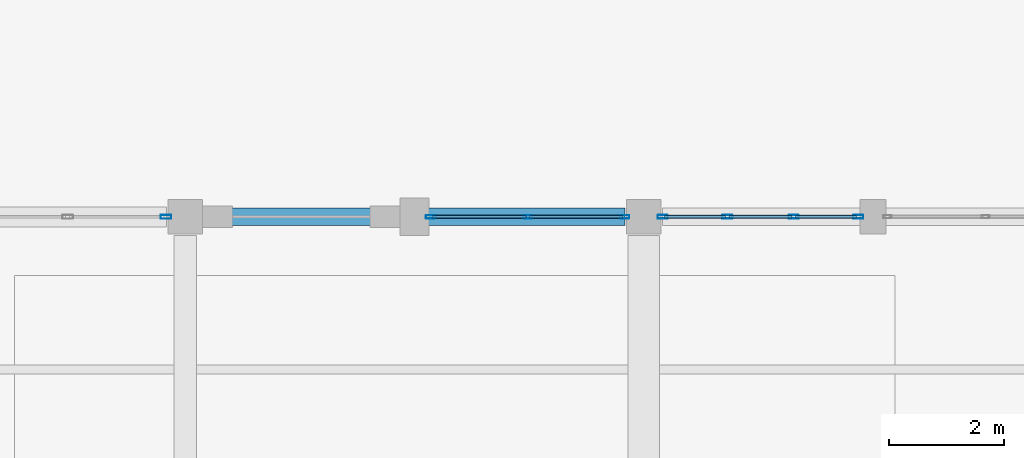
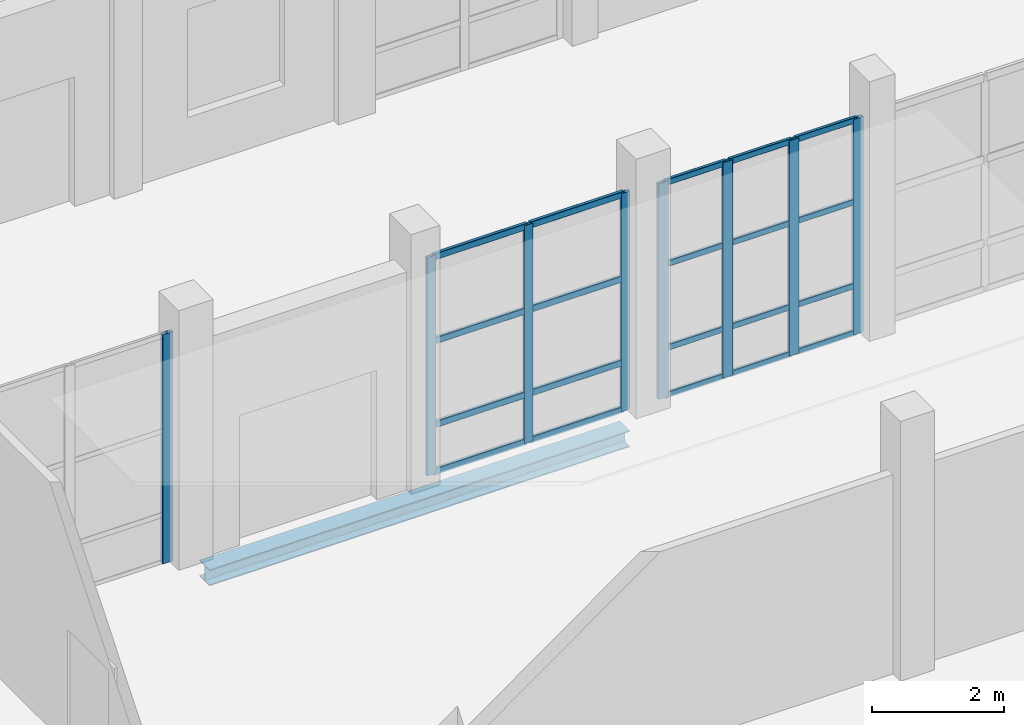
# One storey, part 67 of 156: 28 members, 1 beam, 3 elements without a shape of their own.
"""IFC4 building model written with IfcOpenShell, lengths in metres."""

from ifc_helpers import new_model, si_unit, direction, frame, origin, origin_2d, place, context, subcontext, project, spatial, hollow_rectangle, i_section, extrude, material, material_profile, profile_set, type_object, element, aggregate, save


model = new_model("IFC4")

# Units and contexts
model_context = context("Model", 3, precision=1e-05, world=origin(), true_north=direction((0.0, 1.0)))
body_context = subcontext(model_context, "Body", "Model", "MODEL_VIEW")
ifc_project = project(units=[si_unit("LENGTHUNIT", "METRE"), si_unit("AREAUNIT", "SQUARE_METRE"), si_unit("VOLUMEUNIT", "CUBIC_METRE"), si_unit("PLANEANGLEUNIT", "RADIAN"), si_unit("MASSUNIT", "GRAM", prefix="KILO")], contexts=[model_context])

# Site, building, storey
site_placement = place(None, origin())
site = spatial("IfcSite", under=ifc_project, at=site_placement, CompositionType="ELEMENT")
building_placement = place(site_placement, origin())
building = spatial("IfcBuilding", under=site, at=building_placement, Name="Luwemba Playhouse", CompositionType="ELEMENT")
storey_placement = place(building_placement, origin())
storey = spatial("IfcBuildingStorey", under=building, at=storey_placement, Name="L00", CompositionType="ELEMENT", Elevation=0.0)

# Beam
ifc_material_1 = material(Name="Steel S355", Category="steel")
ifc_material_profile_1 = material_profile(ifc_material_1, i_section(OverallWidth=0.300048828125, OverallDepth=0.300048828125, WebThickness=0.010986328125, FlangeThickness=0.01904296875, FilletRadius=0.027099609375, at=origin_2d()))
ifc_profile_set_1 = profile_set([ifc_material_profile_1], Name="Steel S355")
beam_type = type_object("IfcBeamType", Name="BM-SSP1", PredefinedType="SPANDREL", material=ifc_profile_set_1)
beam_placement = place(storey_placement, frame((148.324951171875, 27.0, -0.449951171875), z_axis=(1.0, 0.0, 0.0), x_axis=(0.0, 1.0, 0.0)))
element("IfcBeam", 1, at=beam_placement, inside=storey, type_object=beam_type, Name="L00 grid girder 0227", PredefinedType="SPANDREL", context=body_context, shape_type="SweptSolid", body=[
    extrude(i_section(OverallWidth=0.300048828125, OverallDepth=0.300048828125, WebThickness=0.010986328125, FlangeThickness=0.01904296875, FilletRadius=0.027099609375, at=origin_2d()), origin(), (0.0, 0.0, 1.0), 7.35009765625),
])

# Curtain wall, members
ifc_material_2 = material(Name="Solar-control double glazing", Category="glass")
curtain_wall_type_1 = type_object("IfcCurtainWallType", Name="CW-CW54", PredefinedType="USERDEFINED", material=ifc_material_2)
curtain_wall_1_placement = place(storey_placement, origin())
curtain_wall_1 = element("IfcCurtainWall", 2, at=curtain_wall_1_placement, inside=storey, type_object=curtain_wall_type_1, Name="L00 V5E unitised curtain wall 063", ObjectType="UNITISED GLAZING", PredefinedType="USERDEFINED")
ifc_material_3 = material(Name="Aluminium 6063-T6", Category="aluminium")
ifc_material_profile_2 = material_profile(ifc_material_3, hollow_rectangle(XDim=0.06005859375, YDim=0.159912109375, WallThickness=0.00390625, InnerFilletRadius=0.006103515625, OuterFilletRadius=0.010009765625, at=origin_2d()))
ifc_profile_set_2 = profile_set([ifc_material_profile_2], Name="Aluminium 6063-T6")
member_type_1 = type_object("IfcMemberType", Name="CWM-M1", PredefinedType="MULLION", material=ifc_profile_set_2)
member_1_placement = place(storey_placement, frame((152.280029296875, 27.0, 0.0), z_axis=(0.0, 0.0, 1.0), x_axis=(0.0, 1.0, 0.0)))
member_1 = element("IfcMember", 3, at=member_1_placement, type_object=member_type_1, Name="CW54 mullion 1", PredefinedType="MULLION", context=body_context, shape_type="SweptSolid", body=[
    extrude(hollow_rectangle(XDim=0.06005859375, YDim=0.159912109375, WallThickness=0.00390625, InnerFilletRadius=0.006103515625, OuterFilletRadius=0.010009765625, at=origin_2d()), origin(), (0.0, 0.0, 1.0), 4.034912109375),
])
member_2_placement = place(storey_placement, frame((153.97509765625, 27.0, 0.0), z_axis=(0.0, 0.0, 1.0), x_axis=(0.0, 1.0, 0.0)))
member_2 = element("IfcMember", 4, at=member_2_placement, type_object=member_type_1, Name="CW54 mullion 2", PredefinedType="MULLION", context=body_context, shape_type="SweptSolid", body=[
    extrude(hollow_rectangle(XDim=0.06005859375, YDim=0.159912109375, WallThickness=0.00390625, InnerFilletRadius=0.006103515625, OuterFilletRadius=0.010009765625, at=origin_2d()), origin(), (0.0, 0.0, 1.0), 4.034912109375),
])
member_3_placement = place(storey_placement, frame((155.669921875, 27.0, 0.0), z_axis=(0.0, 0.0, 1.0), x_axis=(0.0, 1.0, 0.0)))
member_3 = element("IfcMember", 5, at=member_3_placement, type_object=member_type_1, Name="CW54 mullion 3", PredefinedType="MULLION", context=body_context, shape_type="SweptSolid", body=[
    extrude(hollow_rectangle(XDim=0.06005859375, YDim=0.159912109375, WallThickness=0.00390625, InnerFilletRadius=0.006103515625, OuterFilletRadius=0.010009765625, at=origin_2d()), origin(), (0.0, 0.0, 1.0), 4.034912109375),
])

curtain_wall_type_2 = type_object("IfcCurtainWallType", Name="CW-CW16", PredefinedType="USERDEFINED", material=ifc_material_2)
curtain_wall_2_placement = place(storey_placement, origin())
curtain_wall_2 = element("IfcCurtainWall", 6, at=curtain_wall_2_placement, inside=storey, type_object=curtain_wall_type_2, Name="L00 V5E unitised curtain wall 064", ObjectType="UNITISED GLAZING", PredefinedType="USERDEFINED")
ifc_material_profile_3 = material_profile(ifc_material_3, hollow_rectangle(XDim=0.06494140625, YDim=0.179931640625, WallThickness=0.00439453125, InnerFilletRadius=0.0068359375, OuterFilletRadius=0.01123046875, at=origin_2d()))
ifc_profile_set_3 = profile_set([ifc_material_profile_3], Name="Aluminium 6063-T6")
member_type_2 = type_object("IfcMemberType", Name="CWM-M2", PredefinedType="MULLION", material=ifc_profile_set_3)
member_4_placement = place(storey_placement, frame((156.33251953125, 27.0, 0.0), z_axis=(0.0, 0.0, 1.0), x_axis=(0.0, 1.0, 0.0)))
member_4 = element("IfcMember", 7, at=member_4_placement, type_object=member_type_2, Name="CW16 mullion 1", PredefinedType="MULLION", context=body_context, shape_type="SweptSolid", body=[
    extrude(hollow_rectangle(XDim=0.06494140625, YDim=0.179931640625, WallThickness=0.00439453125, InnerFilletRadius=0.0068359375, OuterFilletRadius=0.01123046875, at=origin_2d()), origin(), (0.0, 0.0, 1.0), 3.985107421875),
])
member_5_placement = place(storey_placement, frame((157.458251953125, 27.0, 0.0), z_axis=(0.0, 0.0, 1.0), x_axis=(0.0, 1.0, 0.0)))
member_5 = element("IfcMember", 8, at=member_5_placement, type_object=member_type_2, Name="CW16 mullion 2", PredefinedType="MULLION", context=body_context, shape_type="SweptSolid", body=[
    extrude(hollow_rectangle(XDim=0.06494140625, YDim=0.179931640625, WallThickness=0.00439453125, InnerFilletRadius=0.0068359375, OuterFilletRadius=0.01123046875, at=origin_2d()), origin(), (0.0, 0.0, 1.0), 3.985107421875),
])
member_6_placement = place(storey_placement, frame((158.61669921875, 27.0, 0.0), z_axis=(0.0, 0.0, 1.0), x_axis=(0.0, 1.0, 0.0)))
member_6 = element("IfcMember", 9, at=member_6_placement, type_object=member_type_2, Name="CW16 mullion 3", PredefinedType="MULLION", context=body_context, shape_type="SweptSolid", body=[
    extrude(hollow_rectangle(XDim=0.06494140625, YDim=0.179931640625, WallThickness=0.00439453125, InnerFilletRadius=0.0068359375, OuterFilletRadius=0.01123046875, at=origin_2d()), origin(), (0.0, 0.0, 1.0), 3.985107421875),
])
member_7_placement = place(storey_placement, frame((159.742431640625, 27.0, 0.0), z_axis=(0.0, 0.0, 1.0), x_axis=(0.0, 1.0, 0.0)))
member_7 = element("IfcMember", 10, at=member_7_placement, type_object=member_type_2, Name="CW16 mullion 4", PredefinedType="MULLION", context=body_context, shape_type="SweptSolid", body=[
    extrude(hollow_rectangle(XDim=0.06494140625, YDim=0.179931640625, WallThickness=0.00439453125, InnerFilletRadius=0.0068359375, OuterFilletRadius=0.01123046875, at=origin_2d()), origin(), (0.0, 0.0, 1.0), 3.985107421875),
])

# Curtain wall, member
curtain_wall_type_3 = type_object("IfcCurtainWallType", Name="CW-CW53", PredefinedType="USERDEFINED", material=ifc_material_2)
curtain_wall_3_placement = place(storey_placement, origin())
curtain_wall_3 = element("IfcCurtainWall", 11, at=curtain_wall_3_placement, inside=storey, type_object=curtain_wall_type_3, Name="L00 V5E unitised curtain wall 062", ObjectType="UNITISED GLAZING", PredefinedType="USERDEFINED")
ifc_material_profile_4 = material_profile(ifc_material_3, hollow_rectangle(XDim=0.070068359375, YDim=0.18994140625, WallThickness=0.0048828125, InnerFilletRadius=0.007568359375, OuterFilletRadius=0.012451171875, at=origin_2d()))
ifc_profile_set_4 = profile_set([ifc_material_profile_4], Name="Aluminium 6063-T6")
member_type_3 = type_object("IfcMemberType", Name="CWM-M4", PredefinedType="MULLION", material=ifc_profile_set_4)
member_8_placement = place(storey_placement, frame((147.6650390625, 27.0, 0.0), z_axis=(0.0, 0.0, 1.0), x_axis=(0.0, 1.0, 0.0)))
member_8 = element("IfcMember", 12, at=member_8_placement, type_object=member_type_3, Name="CW53 mullion 3", PredefinedType="MULLION", context=body_context, shape_type="SweptSolid", body=[
    extrude(hollow_rectangle(XDim=0.070068359375, YDim=0.18994140625, WallThickness=0.0048828125, InnerFilletRadius=0.007568359375, OuterFilletRadius=0.012451171875, at=origin_2d()), origin(), (0.0, 0.0, 1.0), 4.235107421875),
])
aggregate(curtain_wall_3, [member_8])

# Member
ifc_material_profile_5 = material_profile(ifc_material_3, hollow_rectangle(XDim=0.06005859375, YDim=0.1201171875, WallThickness=0.00390625, InnerFilletRadius=0.006103515625, OuterFilletRadius=0.010009765625, at=origin_2d()))
ifc_profile_set_5 = profile_set([ifc_material_profile_5], Name="Aluminium 6063-T6")
member_type_4 = type_object("IfcMemberType", Name="CWT-T1", PredefinedType="USERDEFINED", material=ifc_profile_set_5)
member_9_placement = place(storey_placement, frame((152.31005859375, 27.0, 0.030029296875), z_axis=(1.0, 0.0, 0.0), x_axis=(0.0, 1.0, 0.0)))
member_9 = element("IfcMember", 13, at=member_9_placement, type_object=member_type_4, Name="CW54 transom 1.1", ObjectType="TRANSOM", PredefinedType="USERDEFINED", context=body_context, shape_type="SweptSolid", body=[
    extrude(hollow_rectangle(XDim=0.06005859375, YDim=0.1201171875, WallThickness=0.00390625, InnerFilletRadius=0.006103515625, OuterFilletRadius=0.010009765625, at=origin_2d()), origin(), (0.0, 0.0, 1.0), 1.635009765625),
])

member_10_placement = place(storey_placement, frame((152.31005859375, 27.0, 0.89990234375), z_axis=(1.0, 0.0, 0.0), x_axis=(0.0, 1.0, 0.0)))
member_10 = element("IfcMember", 14, at=member_10_placement, type_object=member_type_4, Name="CW54 transom 1.2", ObjectType="TRANSOM", PredefinedType="USERDEFINED", context=body_context, shape_type="SweptSolid", body=[
    extrude(hollow_rectangle(XDim=0.06005859375, YDim=0.1201171875, WallThickness=0.00390625, InnerFilletRadius=0.006103515625, OuterFilletRadius=0.010009765625, at=origin_2d()), origin(), (0.0, 0.0, 1.0), 1.635009765625),
])

member_11_placement = place(storey_placement, frame((152.31005859375, 27.0, 2.449951171875), z_axis=(1.0, 0.0, 0.0), x_axis=(0.0, 1.0, 0.0)))
member_11 = element("IfcMember", 15, at=member_11_placement, type_object=member_type_4, Name="CW54 transom 1.3", ObjectType="TRANSOM", PredefinedType="USERDEFINED", context=body_context, shape_type="SweptSolid", body=[
    extrude(hollow_rectangle(XDim=0.06005859375, YDim=0.1201171875, WallThickness=0.00390625, InnerFilletRadius=0.006103515625, OuterFilletRadius=0.010009765625, at=origin_2d()), origin(), (0.0, 0.0, 1.0), 1.635009765625),
])

member_12_placement = place(storey_placement, frame((152.31005859375, 27.0, 4.0048828125), z_axis=(1.0, 0.0, 0.0), x_axis=(0.0, 1.0, 0.0)))
member_12 = element("IfcMember", 16, at=member_12_placement, type_object=member_type_4, Name="CW54 transom 1.4", ObjectType="TRANSOM", PredefinedType="USERDEFINED", context=body_context, shape_type="SweptSolid", body=[
    extrude(hollow_rectangle(XDim=0.06005859375, YDim=0.1201171875, WallThickness=0.00390625, InnerFilletRadius=0.006103515625, OuterFilletRadius=0.010009765625, at=origin_2d()), origin(), (0.0, 0.0, 1.0), 1.635009765625),
])

member_13_placement = place(storey_placement, frame((154.0048828125, 27.0, 0.030029296875), z_axis=(1.0, 0.0, 0.0), x_axis=(0.0, 1.0, 0.0)))
member_13 = element("IfcMember", 17, at=member_13_placement, type_object=member_type_4, Name="CW54 transom 2.1", ObjectType="TRANSOM", PredefinedType="USERDEFINED", context=body_context, shape_type="SweptSolid", body=[
    extrude(hollow_rectangle(XDim=0.06005859375, YDim=0.1201171875, WallThickness=0.00390625, InnerFilletRadius=0.006103515625, OuterFilletRadius=0.010009765625, at=origin_2d()), origin(), (0.0, 0.0, 1.0), 1.635009765625),
])

member_14_placement = place(storey_placement, frame((154.0048828125, 27.0, 0.89990234375), z_axis=(1.0, 0.0, 0.0), x_axis=(0.0, 1.0, 0.0)))
member_14 = element("IfcMember", 18, at=member_14_placement, type_object=member_type_4, Name="CW54 transom 2.2", ObjectType="TRANSOM", PredefinedType="USERDEFINED", context=body_context, shape_type="SweptSolid", body=[
    extrude(hollow_rectangle(XDim=0.06005859375, YDim=0.1201171875, WallThickness=0.00390625, InnerFilletRadius=0.006103515625, OuterFilletRadius=0.010009765625, at=origin_2d()), origin(), (0.0, 0.0, 1.0), 1.635009765625),
])

member_15_placement = place(storey_placement, frame((154.0048828125, 27.0, 2.449951171875), z_axis=(1.0, 0.0, 0.0), x_axis=(0.0, 1.0, 0.0)))
member_15 = element("IfcMember", 19, at=member_15_placement, type_object=member_type_4, Name="CW54 transom 2.3", ObjectType="TRANSOM", PredefinedType="USERDEFINED", context=body_context, shape_type="SweptSolid", body=[
    extrude(hollow_rectangle(XDim=0.06005859375, YDim=0.1201171875, WallThickness=0.00390625, InnerFilletRadius=0.006103515625, OuterFilletRadius=0.010009765625, at=origin_2d()), origin(), (0.0, 0.0, 1.0), 1.635009765625),
])

member_16_placement = place(storey_placement, frame((154.0048828125, 27.0, 4.0048828125), z_axis=(1.0, 0.0, 0.0), x_axis=(0.0, 1.0, 0.0)))
member_16 = element("IfcMember", 20, at=member_16_placement, type_object=member_type_4, Name="CW54 transom 2.4", ObjectType="TRANSOM", PredefinedType="USERDEFINED", context=body_context, shape_type="SweptSolid", body=[
    extrude(hollow_rectangle(XDim=0.06005859375, YDim=0.1201171875, WallThickness=0.00390625, InnerFilletRadius=0.006103515625, OuterFilletRadius=0.010009765625, at=origin_2d()), origin(), (0.0, 0.0, 1.0), 1.635009765625),
])

aggregate(curtain_wall_1, [member_1, member_2, member_3, member_9, member_10, member_11, member_12, member_13, member_14, member_15, member_16])

ifc_material_profile_6 = material_profile(ifc_material_3, hollow_rectangle(XDim=0.054931640625, YDim=0.110107421875, WallThickness=0.00341796875, InnerFilletRadius=0.00537109375, OuterFilletRadius=0.0087890625, at=origin_2d()))
ifc_profile_set_6 = profile_set([ifc_material_profile_6], Name="Aluminium 6063-T6")
member_type_5 = type_object("IfcMemberType", Name="CWT-T2", PredefinedType="USERDEFINED", material=ifc_profile_set_6)
member_17_placement = place(storey_placement, frame((156.364990234375, 27.0, 0.027587890625), z_axis=(1.0, 0.0, 0.0), x_axis=(0.0, 1.0, 0.0)))
member_17 = element("IfcMember", 21, at=member_17_placement, type_object=member_type_5, Name="CW16 transom 1.1", ObjectType="TRANSOM", PredefinedType="USERDEFINED", context=body_context, shape_type="SweptSolid", body=[
    extrude(hollow_rectangle(XDim=0.054931640625, YDim=0.110107421875, WallThickness=0.00341796875, InnerFilletRadius=0.00537109375, OuterFilletRadius=0.0087890625, at=origin_2d()), origin(), (0.0, 0.0, 1.0), 1.060791015625),
])

member_18_placement = place(storey_placement, frame((156.364990234375, 27.0, 0.89990234375), z_axis=(1.0, 0.0, 0.0), x_axis=(0.0, 1.0, 0.0)))
member_18 = element("IfcMember", 22, at=member_18_placement, type_object=member_type_5, Name="CW16 transom 1.2", ObjectType="TRANSOM", PredefinedType="USERDEFINED", context=body_context, shape_type="SweptSolid", body=[
    extrude(hollow_rectangle(XDim=0.054931640625, YDim=0.110107421875, WallThickness=0.00341796875, InnerFilletRadius=0.00537109375, OuterFilletRadius=0.0087890625, at=origin_2d()), origin(), (0.0, 0.0, 1.0), 1.060791015625),
])

member_19_placement = place(storey_placement, frame((156.364990234375, 27.0, 2.449951171875), z_axis=(1.0, 0.0, 0.0), x_axis=(0.0, 1.0, 0.0)))
member_19 = element("IfcMember", 23, at=member_19_placement, type_object=member_type_5, Name="CW16 transom 1.3", ObjectType="TRANSOM", PredefinedType="USERDEFINED", context=body_context, shape_type="SweptSolid", body=[
    extrude(hollow_rectangle(XDim=0.054931640625, YDim=0.110107421875, WallThickness=0.00341796875, InnerFilletRadius=0.00537109375, OuterFilletRadius=0.0087890625, at=origin_2d()), origin(), (0.0, 0.0, 1.0), 1.060791015625),
])

member_20_placement = place(storey_placement, frame((156.364990234375, 27.0, 3.95751953125), z_axis=(1.0, 0.0, 0.0), x_axis=(0.0, 1.0, 0.0)))
member_20 = element("IfcMember", 24, at=member_20_placement, type_object=member_type_5, Name="CW16 transom 1.4", ObjectType="TRANSOM", PredefinedType="USERDEFINED", context=body_context, shape_type="SweptSolid", body=[
    extrude(hollow_rectangle(XDim=0.054931640625, YDim=0.110107421875, WallThickness=0.00341796875, InnerFilletRadius=0.00537109375, OuterFilletRadius=0.0087890625, at=origin_2d()), origin(), (0.0, 0.0, 1.0), 1.060791015625),
])

member_21_placement = place(storey_placement, frame((157.49072265625, 27.0, 0.027587890625), z_axis=(1.0, 0.0, 0.0), x_axis=(0.0, 1.0, 0.0)))
member_21 = element("IfcMember", 25, at=member_21_placement, type_object=member_type_5, Name="CW16 transom 2.1", ObjectType="TRANSOM", PredefinedType="USERDEFINED", context=body_context, shape_type="SweptSolid", body=[
    extrude(hollow_rectangle(XDim=0.054931640625, YDim=0.110107421875, WallThickness=0.00341796875, InnerFilletRadius=0.00537109375, OuterFilletRadius=0.0087890625, at=origin_2d()), origin(), (0.0, 0.0, 1.0), 1.093505859375),
])

member_22_placement = place(storey_placement, frame((157.49072265625, 27.0, 0.89990234375), z_axis=(1.0, 0.0, 0.0), x_axis=(0.0, 1.0, 0.0)))
member_22 = element("IfcMember", 26, at=member_22_placement, type_object=member_type_5, Name="CW16 transom 2.2", ObjectType="TRANSOM", PredefinedType="USERDEFINED", context=body_context, shape_type="SweptSolid", body=[
    extrude(hollow_rectangle(XDim=0.054931640625, YDim=0.110107421875, WallThickness=0.00341796875, InnerFilletRadius=0.00537109375, OuterFilletRadius=0.0087890625, at=origin_2d()), origin(), (0.0, 0.0, 1.0), 1.093505859375),
])

member_23_placement = place(storey_placement, frame((157.49072265625, 27.0, 2.449951171875), z_axis=(1.0, 0.0, 0.0), x_axis=(0.0, 1.0, 0.0)))
member_23 = element("IfcMember", 27, at=member_23_placement, type_object=member_type_5, Name="CW16 transom 2.3", ObjectType="TRANSOM", PredefinedType="USERDEFINED", context=body_context, shape_type="SweptSolid", body=[
    extrude(hollow_rectangle(XDim=0.054931640625, YDim=0.110107421875, WallThickness=0.00341796875, InnerFilletRadius=0.00537109375, OuterFilletRadius=0.0087890625, at=origin_2d()), origin(), (0.0, 0.0, 1.0), 1.093505859375),
])

member_24_placement = place(storey_placement, frame((157.49072265625, 27.0, 3.95751953125), z_axis=(1.0, 0.0, 0.0), x_axis=(0.0, 1.0, 0.0)))
member_24 = element("IfcMember", 28, at=member_24_placement, type_object=member_type_5, Name="CW16 transom 2.4", ObjectType="TRANSOM", PredefinedType="USERDEFINED", context=body_context, shape_type="SweptSolid", body=[
    extrude(hollow_rectangle(XDim=0.054931640625, YDim=0.110107421875, WallThickness=0.00341796875, InnerFilletRadius=0.00537109375, OuterFilletRadius=0.0087890625, at=origin_2d()), origin(), (0.0, 0.0, 1.0), 1.093505859375),
])

member_25_placement = place(storey_placement, frame((158.649169921875, 27.0, 0.027587890625), z_axis=(1.0, 0.0, 0.0), x_axis=(0.0, 1.0, 0.0)))
member_25 = element("IfcMember", 29, at=member_25_placement, type_object=member_type_5, Name="CW16 transom 3.1", ObjectType="TRANSOM", PredefinedType="USERDEFINED", context=body_context, shape_type="SweptSolid", body=[
    extrude(hollow_rectangle(XDim=0.054931640625, YDim=0.110107421875, WallThickness=0.00341796875, InnerFilletRadius=0.00537109375, OuterFilletRadius=0.0087890625, at=origin_2d()), origin(), (0.0, 0.0, 1.0), 1.060791015625),
])

member_26_placement = place(storey_placement, frame((158.649169921875, 27.0, 0.89990234375), z_axis=(1.0, 0.0, 0.0), x_axis=(0.0, 1.0, 0.0)))
member_26 = element("IfcMember", 30, at=member_26_placement, type_object=member_type_5, Name="CW16 transom 3.2", ObjectType="TRANSOM", PredefinedType="USERDEFINED", context=body_context, shape_type="SweptSolid", body=[
    extrude(hollow_rectangle(XDim=0.054931640625, YDim=0.110107421875, WallThickness=0.00341796875, InnerFilletRadius=0.00537109375, OuterFilletRadius=0.0087890625, at=origin_2d()), origin(), (0.0, 0.0, 1.0), 1.060791015625),
])

member_27_placement = place(storey_placement, frame((158.649169921875, 27.0, 2.449951171875), z_axis=(1.0, 0.0, 0.0), x_axis=(0.0, 1.0, 0.0)))
member_27 = element("IfcMember", 31, at=member_27_placement, type_object=member_type_5, Name="CW16 transom 3.3", ObjectType="TRANSOM", PredefinedType="USERDEFINED", context=body_context, shape_type="SweptSolid", body=[
    extrude(hollow_rectangle(XDim=0.054931640625, YDim=0.110107421875, WallThickness=0.00341796875, InnerFilletRadius=0.00537109375, OuterFilletRadius=0.0087890625, at=origin_2d()), origin(), (0.0, 0.0, 1.0), 1.060791015625),
])

member_28_placement = place(storey_placement, frame((158.649169921875, 27.0, 3.95751953125), z_axis=(1.0, 0.0, 0.0), x_axis=(0.0, 1.0, 0.0)))
member_28 = element("IfcMember", 32, at=member_28_placement, type_object=member_type_5, Name="CW16 transom 3.4", ObjectType="TRANSOM", PredefinedType="USERDEFINED", context=body_context, shape_type="SweptSolid", body=[
    extrude(hollow_rectangle(XDim=0.054931640625, YDim=0.110107421875, WallThickness=0.00341796875, InnerFilletRadius=0.00537109375, OuterFilletRadius=0.0087890625, at=origin_2d()), origin(), (0.0, 0.0, 1.0), 1.060791015625),
])

aggregate(curtain_wall_2, [member_4, member_5, member_6, member_7, member_17, member_18, member_19, member_20, member_21, member_22, member_23, member_24, member_25, member_26, member_27, member_28])

save(model, "model.ifc")
